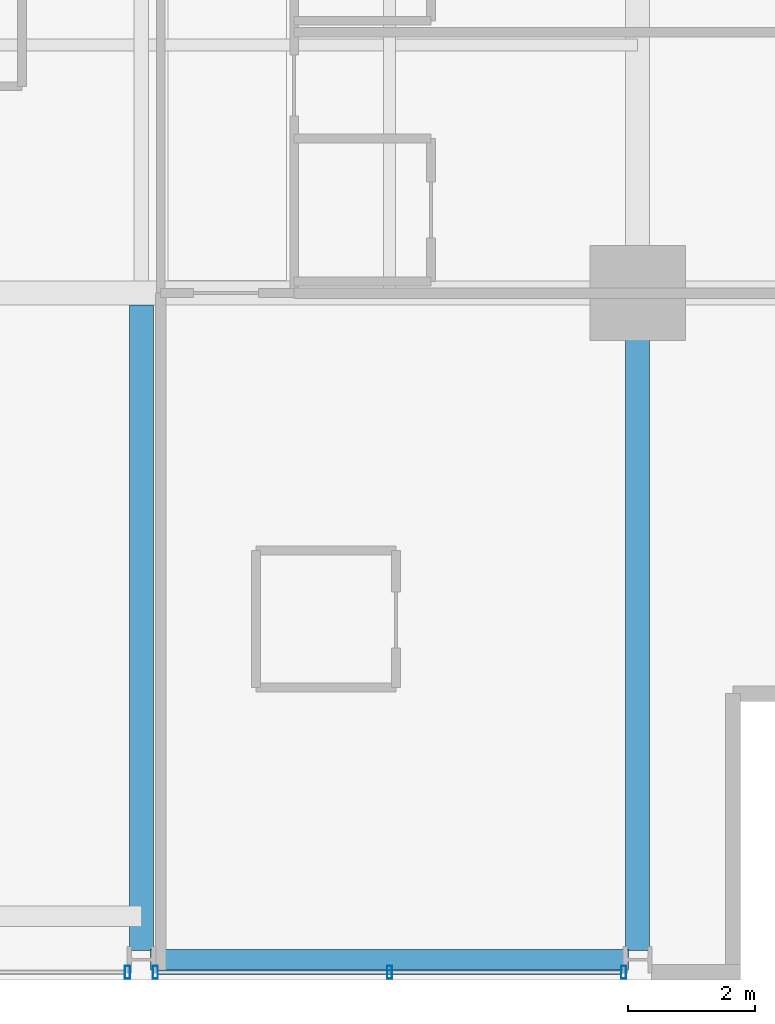
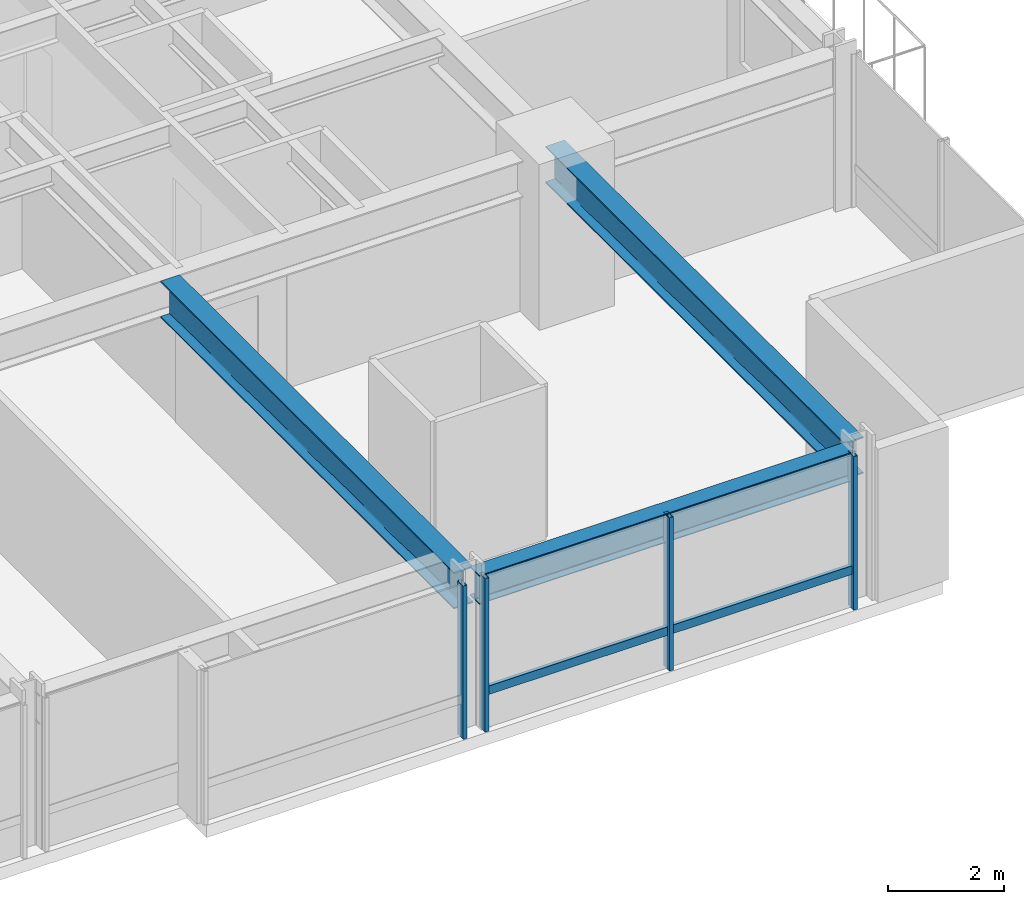
# One storey, part 11 of 34: 5 members, 3 beams, 2 elements without a shape of their own.
"""IFC4 building model written with IfcOpenShell, lengths in metres."""

from ifc_helpers import new_model, si_unit, direction, frame, origin, origin_2d, place, context, subcontext, project, spatial, hollow_rectangle, i_section, extrude, material, layer, layer_set, material_profile, profile_set, type_object, element, aggregate, save


model = new_model("IFC4")

# Units and contexts
model_context = context("Model", 3, precision=1e-05, world=origin(), true_north=direction((0.0, 1.0)))
body_context = subcontext(model_context, "Body", "Model", "MODEL_VIEW")
ifc_project = project(units=[si_unit("LENGTHUNIT", "METRE"), si_unit("AREAUNIT", "SQUARE_METRE"), si_unit("VOLUMEUNIT", "CUBIC_METRE"), si_unit("PLANEANGLEUNIT", "RADIAN"), si_unit("MASSUNIT", "GRAM", prefix="KILO")], contexts=[model_context])

# Site, building, storey
site_placement = place(None, origin())
site = spatial("IfcSite", under=ifc_project, at=site_placement, CompositionType="ELEMENT")
building_placement = place(site_placement, origin())
building = spatial("IfcBuilding", under=site, at=building_placement, Name="Drelvath Grand Hotel", CompositionType="ELEMENT")
storey_placement = place(building_placement, frame((0.0, 0.0, 91.800048828125)))
storey = spatial("IfcBuildingStorey", under=building, at=storey_placement, Name="L22", CompositionType="ELEMENT", Elevation=91.800048828125)

# Curtain wall, member
ifc_material_1 = material(Name="Champagne Bronze Anodised Aluminium Frame", Category="aluminium")
ifc_layer = layer(ifc_material_1, 0.199951171875)
ifc_layer_set = layer_set([ifc_layer], Name="Champagne Bronze Anodised Aluminium Frame")
curtain_wall_type = type_object("IfcCurtainWallType", Name="Stick Curtain Wall CW-03 Champagne Bronze Mid-Rise", PredefinedType="NOTDEFINED", material=ifc_layer_set)
curtain_wall_1_placement = place(storey_placement, origin())
curtain_wall_1 = element("IfcCurtainWall", 1, at=curtain_wall_1_placement, inside=storey, type_object=curtain_wall_type, Name="L22 CW-03 Curtain Wall CW03-L22-SE2", PredefinedType="NOTDEFINED")
ifc_material_profile_1 = material_profile(ifc_material_1, hollow_rectangle(XDim=0.074951171875, YDim=0.179931640625, WallThickness=0.0048828125, at=origin_2d()), Name="HSS180X75X5")
ifc_profile_set_1 = profile_set([ifc_material_profile_1], Name="Champagne Bronze Anodised Aluminium Frame")
member_type_1 = type_object("IfcMemberType", Name="Curtain Wall Horizontal Transom CW-03 HSS180X75X5", PredefinedType="USERDEFINED", material=ifc_profile_set_1)
member_1_placement = place(storey_placement, frame((15.9404296875, 0.1201171875, 0.81005859375), z_axis=(-1.0, 0.0, 0.0), x_axis=(0.0, -1.0, 0.0)))
member_1 = element("IfcMember", 2, at=member_1_placement, type_object=member_type_1, Name="CW03-L22-SE2 Sill Transom", ObjectType="TRANSOM", PredefinedType="USERDEFINED", context=body_context, shape_type="SweptSolid", body=[
    extrude(hollow_rectangle(XDim=0.074951171875, YDim=0.179931640625, WallThickness=0.0048828125, at=origin_2d()), origin(), (0.0, 0.0, 1.0), 7.28076171875),
])

curtain_wall_2_placement = place(storey_placement, origin())
curtain_wall_2 = element("IfcCurtainWall", 3, at=curtain_wall_2_placement, inside=storey, type_object=curtain_wall_type, Name="L22 CW-03 Curtain Wall CW03-L22-SE1", PredefinedType="NOTDEFINED")
ifc_material_profile_2 = material_profile(ifc_material_1, hollow_rectangle(XDim=0.080078125, YDim=0.199951171875, WallThickness=0.0048828125, at=origin_2d()), Name="HSS200X80X5")
ifc_profile_set_2 = profile_set([ifc_material_profile_2], Name="Champagne Bronze Anodised Aluminium Frame")
member_type_2 = type_object("IfcMemberType", Name="Curtain Wall Vertical Mullion CW-03 HSS200X80X5", PredefinedType="MULLION", material=ifc_profile_set_2)
member_2_placement = place(storey_placement, frame((8.180419921875, 0.1201171875, 0.0), z_axis=(0.0, 0.0, 1.0), x_axis=(1.0, 0.0, 0.0)))
member_2 = element("IfcMember", 4, at=member_2_placement, type_object=member_type_2, Name="CW03-L22-SE1 Mullion 1", PredefinedType="MULLION", context=body_context, shape_type="SweptSolid", body=[
    extrude(hollow_rectangle(XDim=0.080078125, YDim=0.199951171875, WallThickness=0.0048828125, at=origin_2d()), origin(), (0.0, 0.0, 1.0), 3.239990234375),
])
aggregate(curtain_wall_2, [member_2])

# Member
member_3_placement = place(storey_placement, frame((15.98046875, 0.1201171875, 0.0), z_axis=(0.0, 0.0, 1.0), x_axis=(1.0, 0.0, 0.0)))
member_3 = element("IfcMember", 5, at=member_3_placement, type_object=member_type_2, Name="CW03-L22-SE2 Mullion 1", PredefinedType="MULLION", context=body_context, shape_type="SweptSolid", body=[
    extrude(hollow_rectangle(XDim=0.080078125, YDim=0.199951171875, WallThickness=0.0048828125, at=origin_2d()), origin(), (0.0, 0.0, 1.0), 3.239990234375),
])

member_4_placement = place(storey_placement, frame((12.300048828125, 0.1201171875, 0.0), z_axis=(0.0, 0.0, 1.0), x_axis=(1.0, 0.0, 0.0)))
member_4 = element("IfcMember", 6, at=member_4_placement, type_object=member_type_2, Name="CW03-L22-SE2 Mullion 2", PredefinedType="MULLION", context=body_context, shape_type="SweptSolid", body=[
    extrude(hollow_rectangle(XDim=0.080078125, YDim=0.199951171875, WallThickness=0.0048828125, at=origin_2d()), origin(), (0.0, 0.0, 1.0), 3.239990234375),
])

member_5_placement = place(storey_placement, frame((8.61962890625, 0.1201171875, 0.0), z_axis=(0.0, 0.0, 1.0), x_axis=(1.0, 0.0, 0.0)))
member_5 = element("IfcMember", 7, at=member_5_placement, type_object=member_type_2, Name="CW03-L22-SE2 Mullion 3", PredefinedType="MULLION", context=body_context, shape_type="SweptSolid", body=[
    extrude(hollow_rectangle(XDim=0.080078125, YDim=0.199951171875, WallThickness=0.0048828125, at=origin_2d()), origin(), (0.0, 0.0, 1.0), 3.239990234375),
])

aggregate(curtain_wall_1, [member_3, member_4, member_5, member_1])

# Beams
ifc_material_2 = material(Name="Steel ASTM A992 Gr 50", Category="steel")
ifc_material_profile_3 = material_profile(ifc_material_2, i_section(OverallWidth=0.323974609375, OverallDepth=0.611083984375, WebThickness=0.0126953125, FlangeThickness=0.01904296875, FilletRadius=0.02197265625, at=origin_2d()), Name="W24X104")
ifc_profile_set_3 = profile_set([ifc_material_profile_3], Name="Steel ASTM A992 Gr 50")
beam_type_1 = type_object("IfcBeamType", Name="Perimeter Spandrel Beam W24X104", PredefinedType="SPANDREL", material=ifc_profile_set_3)
beam_1_placement = place(storey_placement, frame((8.5400390625, 0.320068359375, 2.9345703125), z_axis=(1.0, 0.0, 0.0), x_axis=(0.0, 1.0, 0.0)))
element("IfcBeam", 8, at=beam_1_placement, inside=storey, type_object=beam_type_1, Name="L22 Spandrel South E", PredefinedType="SPANDREL", context=body_context, shape_type="SweptSolid", body=[
    extrude(i_section(OverallWidth=0.323974609375, OverallDepth=0.611083984375, WebThickness=0.0126953125, FlangeThickness=0.01904296875, FilletRadius=0.02197265625, at=origin_2d()), origin(), (0.0, 0.0, 1.0), 7.52001953125),
])
ifc_material_profile_4 = material_profile(ifc_material_2, i_section(OverallWidth=0.380615234375, OverallDepth=0.773193359375, WebThickness=0.0166015625, FlangeThickness=0.027099609375, FilletRadius=0.02490234375, at=origin_2d()), Name="W30X173")
ifc_profile_set_4 = profile_set([ifc_material_profile_4], Name="Steel ASTM A992 Gr 50")
beam_type_2 = type_object("IfcBeamType", Name="Primary Floor Girder W30X173", PredefinedType="BEAM", material=ifc_profile_set_4)
beam_2_placement = place(storey_placement, frame((16.199951171875, 0.4599609375, 2.853271484375), z_axis=(0.0, 1.0, 0.0), x_axis=(-1.0, 0.0, 0.0)))
element("IfcBeam", 9, at=beam_2_placement, inside=storey, type_object=beam_type_2, Name="L22 South Grid Girder 7", PredefinedType="BEAM", context=body_context, shape_type="SweptSolid", body=[
    extrude(i_section(OverallWidth=0.380615234375, OverallDepth=0.773193359375, WebThickness=0.0166015625, FlangeThickness=0.027099609375, FilletRadius=0.02490234375, at=origin_2d()), origin(), (0.0, 0.0, 1.0), 10.340087890625),
])
beam_3_placement = place(storey_placement, frame((8.39990234375, 0.4599609375, 2.853271484375), z_axis=(0.0, 1.0, 0.0), x_axis=(-1.0, 0.0, 0.0)))
element("IfcBeam", 10, at=beam_3_placement, inside=storey, type_object=beam_type_2, Name="L22 South Wing Girder 6", PredefinedType="BEAM", context=body_context, shape_type="SweptSolid", body=[
    extrude(i_section(OverallWidth=0.380615234375, OverallDepth=0.773193359375, WebThickness=0.0166015625, FlangeThickness=0.027099609375, FilletRadius=0.02490234375, at=origin_2d()), origin(), (0.0, 0.0, 1.0), 10.149658203125),
])

save(model, "model.ifc")
